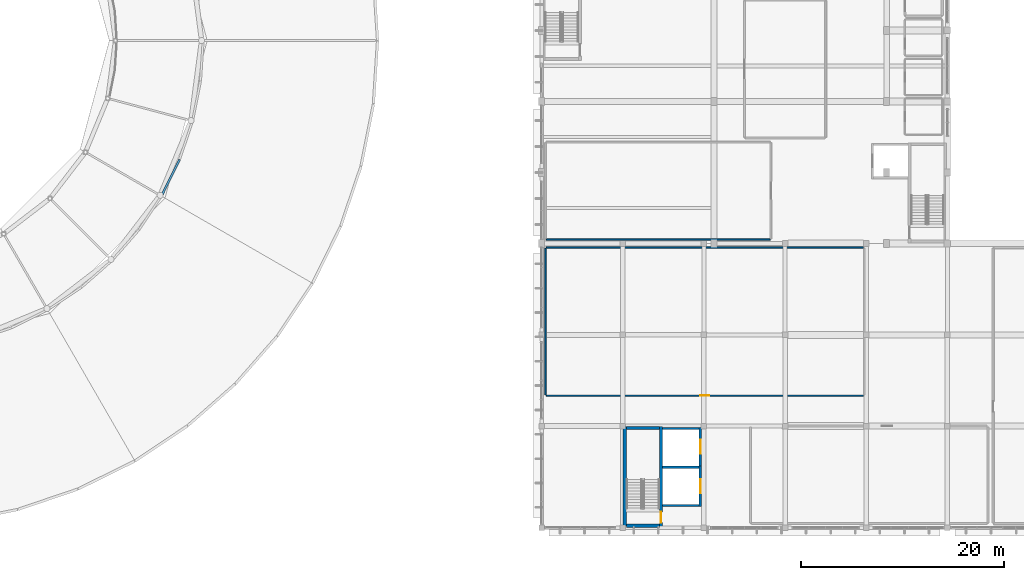
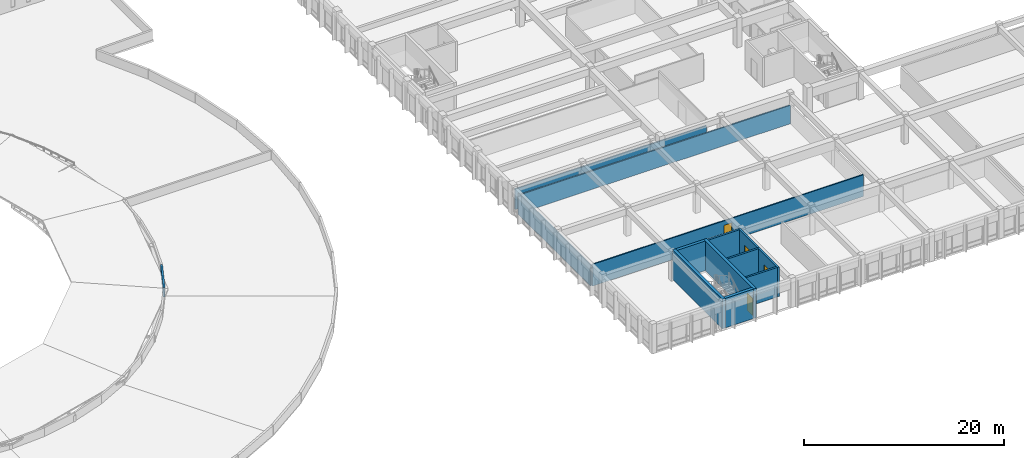
# One storey, part 53 of 77: 14 walls, 4 doors, 4 openings.
"""IFC4 building model written with IfcOpenShell, lengths in metres."""

from ifc_helpers import new_model, si_unit, direction, frame, frame_2d, origin, place, context, subcontext, project, spatial, rectangle, extrude, material, layer, layer_set, type_object, element, fill, save


model = new_model("IFC4")

# Units and contexts
model_context = context("Model", 3, precision=1e-05, world=origin(), true_north=direction((0.0, 1.0)))
body_context = subcontext(model_context, "Body", "Model", "MODEL_VIEW")
ifc_project = project(units=[si_unit("LENGTHUNIT", "METRE"), si_unit("AREAUNIT", "SQUARE_METRE"), si_unit("VOLUMEUNIT", "CUBIC_METRE"), si_unit("PLANEANGLEUNIT", "RADIAN"), si_unit("MASSUNIT", "GRAM", prefix="KILO")], contexts=[model_context])

# Site, building, storey
site_placement = place(None, origin())
site = spatial("IfcSite", under=ifc_project, at=site_placement, CompositionType="ELEMENT")
building_placement = place(site_placement, origin())
building = spatial("IfcBuilding", under=site, at=building_placement, Name="Larkveld Mobility Hub", CompositionType="ELEMENT")
storey_placement = place(building_placement, frame((0.0, 0.0, 12.0)))
storey = spatial("IfcBuildingStorey", under=building, at=storey_placement, Name="L03", CompositionType="ELEMENT", Elevation=12.0)

# Wall
ifc_material_1 = material(Name="Fired clay brick 25 MPa", Category="masonry")
ifc_layer_1 = layer(ifc_material_1, 0.199951171875, Name="Fired clay brick 25 MPa", Category="masonry")
ifc_layer_set_1 = layer_set([ifc_layer_1], Name="Fired clay brick 25 MPa")
wall_type_1 = type_object("IfcWallType", Name="WL-PAR-200", PredefinedType="PARAPET", material=ifc_layer_set_1)
wall_1_placement = place(storey_placement, frame((74.5439453125, 32.675048828125, 0.0), z_axis=(0.0, 0.0, 1.0), x_axis=(0.442213306217, 0.89690991287, 0.0)))
element("IfcWall", 1, at=wall_1_placement, inside=storey, type_object=wall_type_1, Name="Drum Flat Roof Inner Parapet 0324", PredefinedType="PARAPET", context=body_context, shape_type="SweptSolid", body=[
    extrude(rectangle(XDim=4.00927734375, YDim=0.199951171875, at=frame_2d((2.004638671875, 0.0))), origin(), (0.0, 0.0, 1.0), 1.14990234375),
])

# Wall, opening, door
ifc_material_2 = material(Name="Concrete blockwork masonry 14 MPa", Category="masonry")
ifc_layer_2 = layer(ifc_material_2, 0.139892578125, Name="Concrete blockwork masonry 14 MPa", Category="masonry")
ifc_layer_set_2 = layer_set([ifc_layer_2], Name="Concrete blockwork masonry 14 MPa")
wall_type_2 = type_object("IfcWallType", Name="WL-PRT-140", PredefinedType="PARTITIONING", material=ifc_layer_set_2)
wall_2_placement = place(storey_placement, frame((112.47998046875, 13.0, 0.0), z_axis=(0.0, 0.0, 1.0), x_axis=(1.0, 0.0, 0.0)))
wall_2 = element("IfcWall", 2, at=wall_2_placement, inside=storey, type_object=wall_type_2, Name="Fleet Reliability Engineering Office Partition 0192", PredefinedType="PARTITIONING", context=body_context, shape_type="SweptSolid", body=[
    extrude(rectangle(XDim=31.239990234375, YDim=0.139892578125, at=frame_2d((15.6201171875, 0.0))), origin(), (0.0, 0.0, 1.0), 2.64501953125),
])
opening_1_placement = place(wall_2_placement, frame((15.169921875, 0.0, 0.0)))
opening_1 = element("IfcOpeningElement", 3, at=opening_1_placement, cuts=wall_2, Name="Opening DI01", PredefinedType="OPENING", context=body_context, shape_type="SweptSolid", body=[
    extrude(rectangle(XDim=0.89990234375, YDim=2.10009765625, at=frame_2d((0.449951171875, 1.050048828125))), frame((0.0, 0.080078125, 0.0), z_axis=(0.0, -1.0, 0.0), x_axis=(1.0, 0.0, 0.0)), (0.0, 0.0, 1.0), 0.159912109375),
])
ifc_material_3 = material(Name="Solid-core hardwood timber door in aluminium frame", Category="wood")
door_type_1 = type_object("IfcDoorType", Name="DR-INT-090", OperationType="NOTDEFINED", PredefinedType="DOOR", material=ifc_material_3)
door_1_placement = place(opening_1_placement, origin())
door_1 = element("IfcDoor", 4, at=door_1_placement, inside=storey, type_object=door_type_1, Name="Fleet Reliability Engineering Office Door 0049", OperationType="SINGLE_SWING_RIGHT", OverallHeight=2.10009765625, OverallWidth=0.89990234375, PredefinedType="DOOR", context=body_context, shape_type="SweptSolid", body=[
    extrude(rectangle(XDim=0.89990234375, YDim=2.10009765625, at=frame_2d((0.449951171875, 1.050048828125))), frame((0.0, 0.02490234375, 0.0), z_axis=(0.0, -1.0, 0.0), x_axis=(1.0, 0.0, 0.0)), (0.0, 0.0, 1.0), 0.050048828125),
])
fill(opening_1, door_1)

# Walls
wall_3_placement = place(storey_placement, frame((112.47998046875, 27.60009765625, 0.0), z_axis=(0.0, 0.0, 1.0), x_axis=(1.0, 0.0, 0.0)))
element("IfcWall", 5, at=wall_3_placement, inside=storey, type_object=wall_type_2, Name="Fleet Reliability Engineering Office Partition 0193", PredefinedType="PARTITIONING", context=body_context, shape_type="SweptSolid", body=[
    extrude(rectangle(XDim=31.239990234375, YDim=0.139892578125, at=frame_2d((15.6201171875, 0.0))), origin(), (0.0, 0.0, 1.0), 2.2451171875),
])
wall_4_placement = place(storey_placement, frame((112.39990234375, 13.080078125, 0.0), z_axis=(0.0, 0.0, 1.0), x_axis=(0.0, 1.0, 0.0)))
element("IfcWall", 6, at=wall_4_placement, inside=storey, type_object=wall_type_2, Name="Fleet Reliability Engineering Office Partition 0194", PredefinedType="PARTITIONING", context=body_context, shape_type="SweptSolid", body=[
    extrude(rectangle(XDim=14.43994140625, YDim=0.139892578125, at=frame_2d((7.219970703125, 0.0))), origin(), (0.0, 0.0, 1.0), 2.544921875),
])
ifc_layer_3 = layer(ifc_material_2, 0.14990234375, Name="Concrete blockwork masonry 14 MPa", Category="masonry")
ifc_layer_set_3 = layer_set([ifc_layer_3], Name="Concrete blockwork masonry 14 MPa")
wall_type_3 = type_object("IfcWallType", Name="WL-PRT-150", PredefinedType="PARTITIONING", material=ifc_layer_set_3)
wall_5_placement = place(storey_placement, frame((112.47998046875, 28.39990234375, 0.0), z_axis=(0.0, 0.0, 1.0), x_axis=(1.0, 0.0, 0.0)))
element("IfcWall", 7, at=wall_5_placement, inside=storey, type_object=wall_type_3, Name="Public Transport Customer Service Office Partition 0174", PredefinedType="PARTITIONING", context=body_context, shape_type="SweptSolid", body=[
    extrude(rectangle(XDim=22.0400390625, YDim=0.14990234375, at=frame_2d((11.02001953125, 0.0))), origin(), (0.0, 0.0, 1.0), 2.4951171875),
])

# Wall, opening, door
ifc_material_4 = material(Name="Concrete C40/50", Category="concrete")
ifc_layer_4 = layer(ifc_material_4, 0.219970703125, Name="Concrete C40/50", Category="concrete")
ifc_layer_set_4 = layer_set([ifc_layer_4], Name="Concrete C40/50")
wall_type_4 = type_object("IfcWallType", Name="WL-SHF-220", PredefinedType="SHEAR", material=ifc_layer_set_4)
wall_6_placement = place(storey_placement, frame((127.64990234375, 9.8701171875, 0.0), z_axis=(0.0, 0.0, 1.0), x_axis=(0.0, -1.0, 0.0)))
wall_6 = element("IfcWall", 8, at=wall_6_placement, inside=storey, type_object=wall_type_4, Name="Lift GL1 Shaft Wall L03-E", PredefinedType="SHEAR", context=body_context, shape_type="SweptSolid", body=[
    extrude(rectangle(XDim=3.81005859375, YDim=0.219970703125, at=frame_2d((1.905029296875, 0.0))), origin(), (0.0, 0.0, 1.0), 3.60009765625),
])
opening_2_placement = place(wall_6_placement, frame((1.205078125, 0.0, 0.0)))
opening_2 = element("IfcOpeningElement", 9, at=opening_2_placement, cuts=wall_6, Name="Opening LD03", PredefinedType="OPENING", context=body_context, shape_type="SweptSolid", body=[
    extrude(rectangle(XDim=1.39990234375, YDim=2.300048828125, at=frame_2d((0.699951171875, 1.14990234375))), frame((0.0, 0.1201171875, 0.0), z_axis=(0.0, -1.0, 0.0), x_axis=(1.0, 0.0, 0.0)), (0.0, 0.0, 1.0), 0.239990234375),
])
ifc_material_5 = material(Name="Brushed stainless Steel S355JR sliding landing door", Category="steel")
door_type_2 = type_object("IfcDoorType", Name="DR-LD-140", OperationType="DOUBLE_DOOR_SLIDING", PredefinedType="DOOR", material=ifc_material_5)
door_2_placement = place(opening_2_placement, origin())
door_2 = element("IfcDoor", 10, at=door_2_placement, inside=storey, type_object=door_type_2, Name="Lift landing door GL1-L03", OperationType="DOUBLE_DOOR_SLIDING", OverallHeight=2.300048828125, OverallWidth=1.39990234375, PredefinedType="DOOR", context=body_context, shape_type="SweptSolid", body=[
    extrude(rectangle(XDim=1.39990234375, YDim=2.300048828125, at=frame_2d((0.699951171875, 1.14990234375))), frame((0.0, 0.02490234375, 0.0), z_axis=(0.0, -1.0, 0.0), x_axis=(1.0, 0.0, 0.0)), (0.0, 0.0, 1.0), 0.050048828125),
])
fill(opening_2, door_2)

# Wall
wall_7_placement = place(storey_placement, frame((123.93994140625, 9.760009765625, 0.0), z_axis=(0.0, 0.0, 1.0), x_axis=(1.0, 0.0, 0.0)))
element("IfcWall", 11, at=wall_7_placement, inside=storey, type_object=wall_type_4, Name="Lift GL1 Shaft Wall L03-N", PredefinedType="SHEAR", context=body_context, shape_type="SweptSolid", body=[
    extrude(rectangle(XDim=3.60009765625, YDim=0.219970703125, at=frame_2d((1.800048828125, 0.0))), origin(), (0.0, 0.0, 1.0), 3.60009765625),
])

# Wall, opening, door
wall_8_placement = place(storey_placement, frame((127.64990234375, 6.06005859375, 0.0), z_axis=(0.0, 0.0, 1.0), x_axis=(0.0, -1.0, 0.0)))
wall_8 = element("IfcWall", 12, at=wall_8_placement, inside=storey, type_object=wall_type_4, Name="Lift GL2 Shaft Wall L03-E", PredefinedType="SHEAR", context=body_context, shape_type="SweptSolid", body=[
    extrude(rectangle(XDim=3.97998046875, YDim=0.219970703125, at=frame_2d((1.989990234375, 0.0))), origin(), (0.0, 0.0, 1.0), 3.60009765625),
])
opening_3_placement = place(wall_8_placement, frame((1.2900390625, 0.0, 0.0)))
opening_3 = element("IfcOpeningElement", 13, at=opening_3_placement, cuts=wall_8, Name="Opening LD03", PredefinedType="OPENING", context=body_context, shape_type="SweptSolid", body=[
    extrude(rectangle(XDim=1.39990234375, YDim=2.300048828125, at=frame_2d((0.699951171875, 1.14990234375))), frame((0.0, 0.1201171875, 0.0), z_axis=(0.0, -1.0, 0.0), x_axis=(1.0, 0.0, 0.0)), (0.0, 0.0, 1.0), 0.239990234375),
])
door_3_placement = place(opening_3_placement, origin())
door_3 = element("IfcDoor", 14, at=door_3_placement, inside=storey, type_object=door_type_2, Name="Lift landing door GL2-L03", OperationType="DOUBLE_DOOR_SLIDING", OverallHeight=2.300048828125, OverallWidth=1.39990234375, PredefinedType="DOOR", context=body_context, shape_type="SweptSolid", body=[
    extrude(rectangle(XDim=1.39990234375, YDim=2.300048828125, at=frame_2d((0.699951171875, 1.14990234375))), frame((0.0, 0.02490234375, 0.0), z_axis=(0.0, -1.0, 0.0), x_axis=(1.0, 0.0, 0.0)), (0.0, 0.0, 1.0), 0.050048828125),
])
fill(opening_3, door_3)

# Walls
for number, where, z_axis, x_axis, name in (
    (15, (127.5400390625, 2.18994140625, 0.0), (0.0, 0.0, 1.0), (-1.0, 0.0, 0.0), "Lift GL2 Shaft Wall L03-S"),
    (16, (123.93994140625, 5.949951171875, 0.0), (0.0, 0.0, 1.0), (1.0, 0.0, 0.0), "Lift GL2 Shaft Wall L03-N"),
):
    element("IfcWall", number, at=place(storey_placement, frame(where, z_axis=z_axis, x_axis=x_axis)), inside=storey, type_object=wall_type_4, Name=name, PredefinedType="SHEAR", context=body_context, shape_type="SweptSolid", body=[
        extrude(rectangle(XDim=3.60009765625, YDim=0.219970703125, at=frame_2d((1.800048828125, 0.0))), origin(), (0.0, 0.0, 1.0), 3.60009765625),
    ])
ifc_layer_5 = layer(ifc_material_4, 0.340087890625, Name="Concrete C40/50", Category="concrete")
ifc_layer_set_5 = layer_set([ifc_layer_5], Name="Concrete C40/50")
wall_type_5 = type_object("IfcWallType", Name="WL-SHR-04", PredefinedType="SHEAR", material=ifc_layer_set_5)
wall_9_placement = place(storey_placement, frame((120.179931640625, 0.010009765625, 0.0), z_axis=(0.0, 0.0, 1.0), x_axis=(0.0, 1.0, 0.0)))
element("IfcWall", 17, at=wall_9_placement, inside=storey, type_object=wall_type_5, Name="Core C4 Stair Shear Wall L03-W", PredefinedType="SHEAR", context=body_context, shape_type="SweptSolid", body=[
    extrude(rectangle(XDim=9.97998046875, YDim=0.340087890625, at=frame_2d((4.989990234375, 0.0))), origin(), (0.0, 0.0, 1.0), 3.60009765625),
])

# Wall, opening, door
wall_10_placement = place(storey_placement, frame((123.77001953125, 9.989990234375, 0.0), z_axis=(0.0, 0.0, 1.0), x_axis=(0.0, -1.0, 0.0)))
wall_10 = element("IfcWall", 18, at=wall_10_placement, inside=storey, type_object=wall_type_5, Name="Core C4 Stair Shear Wall L03-E", PredefinedType="SHEAR", context=body_context, shape_type="SweptSolid", body=[
    extrude(rectangle(XDim=9.97998046875, YDim=0.340087890625, at=frame_2d((4.989990234375, 0.0))), origin(), (0.0, 0.0, 1.0), 3.60009765625),
])
opening_4_placement = place(wall_10_placement, frame((8.43994140625, 0.0, 0.0)))
opening_4 = element("IfcOpeningElement", 19, at=opening_4_placement, cuts=wall_10, Name="Opening DF02", PredefinedType="OPENING", context=body_context, shape_type="SweptSolid", body=[
    extrude(rectangle(XDim=1.050048828125, YDim=2.14990234375, at=frame_2d((0.52490234375, 1.074951171875))), frame((0.0, 0.18017578125, 0.0), z_axis=(0.0, -1.0, 0.0), x_axis=(1.0, 0.0, 0.0)), (0.0, 0.0, 1.0), 0.360107421875),
])
ifc_material_6 = material(Name="Pressed Steel S355JR fire door assembly", Category="steel")
door_type_3 = type_object("IfcDoorType", Name="DR-FD60", OperationType="NOTDEFINED", PredefinedType="DOOR", material=ifc_material_6)
door_4_placement = place(opening_4_placement, origin())
door_4 = element("IfcDoor", 20, at=door_4_placement, inside=storey, type_object=door_type_3, Name="Stair ST4 Fire Door L03", OperationType="SINGLE_SWING_RIGHT", OverallHeight=2.14990234375, OverallWidth=1.050048828125, PredefinedType="DOOR", context=body_context, shape_type="SweptSolid", body=[
    extrude(rectangle(XDim=1.050048828125, YDim=2.14990234375, at=frame_2d((0.52490234375, 1.074951171875))), frame((0.0, 0.02490234375, 0.0), z_axis=(0.0, -1.0, 0.0), x_axis=(1.0, 0.0, 0.0)), (0.0, 0.0, 1.0), 0.050048828125),
])
fill(opening_4, door_4)

# Walls
for number, where, z_axis, x_axis, name in (
    (21, (123.60009765625, 0.179931640625, 0.0), (0.0, 0.0, 1.0), (-1.0, 0.0, 0.0), "Core C4 Stair Shear Wall L03-S"),
    (22, (120.35009765625, 9.820068359375, 0.0), (0.0, 0.0, 1.0), (1.0, 0.0, 0.0), "Core C4 Stair Shear Wall L03-N"),
):
    element("IfcWall", number, at=place(storey_placement, frame(where, z_axis=z_axis, x_axis=x_axis)), inside=storey, type_object=wall_type_5, Name=name, PredefinedType="SHEAR", context=body_context, shape_type="SweptSolid", body=[
        extrude(rectangle(XDim=3.25, YDim=0.340087890625, at=frame_2d((1.625, 0.0))), origin(), (0.0, 0.0, 1.0), 3.60009765625),
    ])

save(model, "model.ifc")
